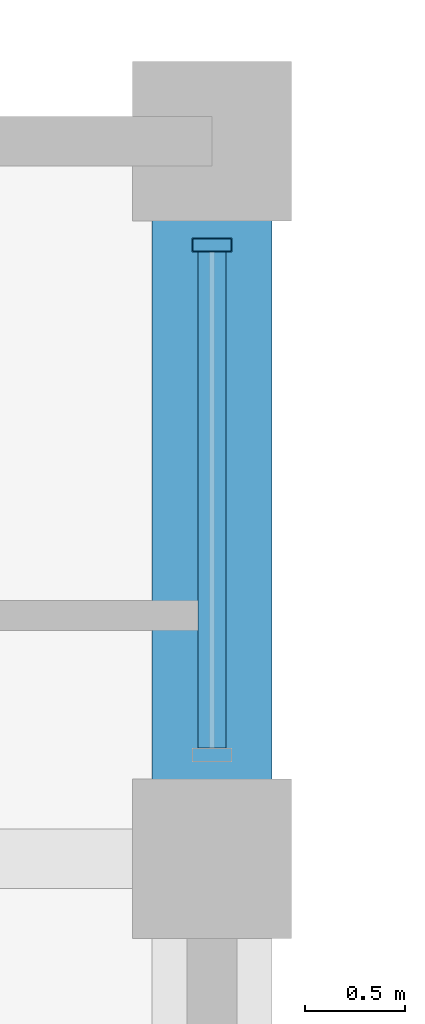
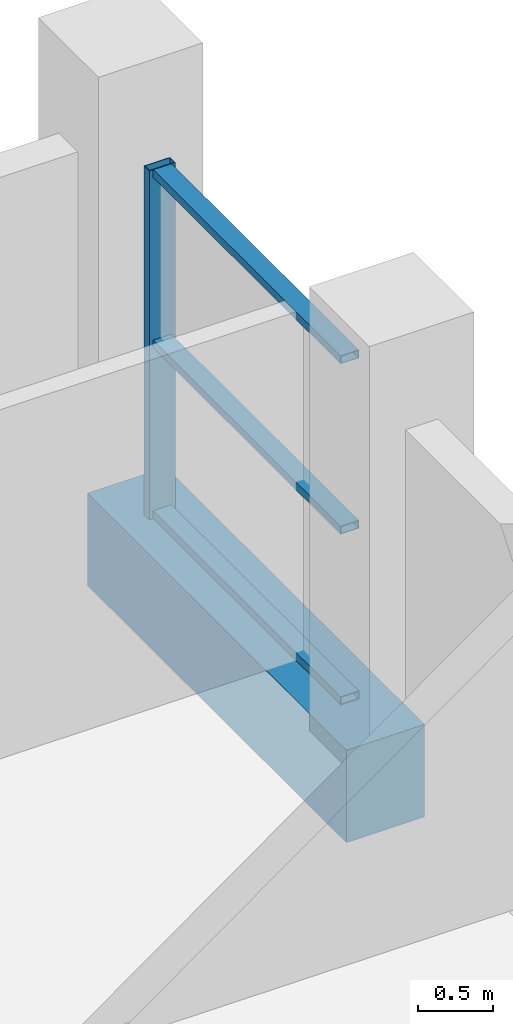
# One storey, part 10 of 17: 4 members, 1 beam, 1 element without a shape of its own.
"""IFC4 building model written with IfcOpenShell, lengths in metres."""

from ifc_helpers import new_model, si_unit, direction, frame, origin, origin_2d, place, context, subcontext, project, spatial, rectangle, hollow_rectangle, extrude, material, layer, layer_set, material_profile, profile_set, type_object, element, aggregate, save


model = new_model("IFC4")

# Units and contexts
model_context = context("Model", 3, precision=1e-05, world=origin(), true_north=direction((0.0, 1.0)))
body_context = subcontext(model_context, "Body", "Model", "MODEL_VIEW")
ifc_project = project(units=[si_unit("LENGTHUNIT", "METRE"), si_unit("AREAUNIT", "SQUARE_METRE"), si_unit("VOLUMEUNIT", "CUBIC_METRE"), si_unit("PLANEANGLEUNIT", "RADIAN"), si_unit("MASSUNIT", "GRAM", prefix="KILO")], contexts=[model_context])

# Site, building, storey
site_placement = place(None, origin())
site = spatial("IfcSite", under=ifc_project, at=site_placement, CompositionType="ELEMENT")
building_placement = place(site_placement, origin())
building = spatial("IfcBuilding", under=site, at=building_placement, Name="Solnavia Interchange Tower", CompositionType="ELEMENT")
storey_placement = place(building_placement, frame((0.0, 0.0, 291.800048828125)))
storey = spatial("IfcBuildingStorey", under=building, at=storey_placement, Name="L74", CompositionType="ELEMENT", Elevation=291.800048828125)

# Beam
ifc_material_1 = material(Name="Concrete C50/60", Category="concrete")
ifc_material_profile_1 = material_profile(ifc_material_1, rectangle(XDim=0.60009765625, YDim=0.75, at=origin_2d()), Name="RC 600x750")
ifc_profile_set_1 = profile_set([ifc_material_profile_1], Name="Concrete C50/60")
beam_type = type_object("IfcBeamType", Name="Beam-Spandrel-RC600x750", PredefinedType="SPANDREL", material=ifc_profile_set_1)
beam_placement = place(storey_placement, frame((25.199951171875, 28.8798828125, -0.375), z_axis=(0.0, 1.0, 0.0), x_axis=(-1.0, 0.0, 0.0)))
element("IfcBeam", 1, at=beam_placement, inside=storey, type_object=beam_type, Name="SPB-L74-21 Framed-tube perimeter spandrel beam", PredefinedType="SPANDREL", context=body_context, shape_type="SweptSolid", body=[
    extrude(rectangle(XDim=0.60009765625, YDim=0.75, at=origin_2d()), origin(), (0.0, 0.0, 1.0), 3.440185546875),
])

# Curtain wall, members
ifc_material_2 = material(Name="Aluminium Alloy 6063-T6", Category="aluminium")
ifc_layer = layer(ifc_material_2, 0.219970703125)
ifc_layer_set = layer_set([ifc_layer], Name="Aluminium Alloy 6063-T6")
curtain_wall_type = type_object("IfcCurtainWallType", Name="CurtainWall-Tower-CTW3", PredefinedType="NOTDEFINED", material=ifc_layer_set)
curtain_wall_placement = place(storey_placement, origin())
curtain_wall = element("IfcCurtainWall", 2, at=curtain_wall_placement, inside=storey, type_object=curtain_wall_type, Name="CTW-L74-S22 CTW-3 curtain wall", PredefinedType="NOTDEFINED")
ifc_material_profile_2 = material_profile(ifc_material_2, hollow_rectangle(XDim=0.070068359375, YDim=0.199951171875, WallThickness=0.0048828125, at=origin_2d()), Name="ALU 200x70x5")
ifc_profile_set_2 = profile_set([ifc_material_profile_2], Name="Aluminium Alloy 6063-T6")
member_type_1 = type_object("IfcMemberType", Name="CW-Mullion-CWM-3", PredefinedType="MULLION", material=ifc_profile_set_2)
member_1_placement = place(storey_placement, frame((25.199951171875, 31.8798828125, 0.0), z_axis=(0.0, 0.0, 1.0), x_axis=(0.0, 1.0, 0.0)))
member_1 = element("IfcMember", 3, at=member_1_placement, type_object=member_type_1, Name="CTW-3 mullion 2", PredefinedType="MULLION", context=body_context, shape_type="SweptSolid", body=[
    extrude(hollow_rectangle(XDim=0.070068359375, YDim=0.199951171875, WallThickness=0.0048828125, at=origin_2d()), origin(), (0.0, 0.0, 1.0), 2.829833984375),
])
ifc_material_profile_3 = material_profile(ifc_material_2, hollow_rectangle(XDim=0.06494140625, YDim=0.139892578125, WallThickness=0.00390625, at=origin_2d()), Name="ALU 140x65x4")
ifc_profile_set_3 = profile_set([ifc_material_profile_3], Name="Aluminium Alloy 6063-T6")
member_type_2 = type_object("IfcMemberType", Name="CW-Transom-CWT-3", PredefinedType="USERDEFINED", material=ifc_profile_set_3)
member_2_placement = place(storey_placement, frame((25.199951171875, 29.35498046875, 0.032470703125), z_axis=(0.0, 1.0, 0.0), x_axis=(0.0, 0.0, 1.0)))
member_2 = element("IfcMember", 4, at=member_2_placement, type_object=member_type_2, Name="CTW-3 transom 1.1", ObjectType="TRANSOM", PredefinedType="USERDEFINED", context=body_context, shape_type="SweptSolid", body=[
    extrude(hollow_rectangle(XDim=0.06494140625, YDim=0.139892578125, WallThickness=0.00390625, at=origin_2d()), origin(), (0.0, 0.0, 1.0), 2.489990234375),
])
member_3_placement = place(storey_placement, frame((25.199951171875, 29.35498046875, 1.4150390625), z_axis=(0.0, 1.0, 0.0), x_axis=(0.0, 0.0, 1.0)))
member_3 = element("IfcMember", 5, at=member_3_placement, type_object=member_type_2, Name="CTW-3 transom 1.2", ObjectType="TRANSOM", PredefinedType="USERDEFINED", context=body_context, shape_type="SweptSolid", body=[
    extrude(hollow_rectangle(XDim=0.06494140625, YDim=0.139892578125, WallThickness=0.00390625, at=origin_2d()), origin(), (0.0, 0.0, 1.0), 2.489990234375),
])
member_4_placement = place(storey_placement, frame((25.199951171875, 29.35498046875, 2.79736328125), z_axis=(0.0, 1.0, 0.0), x_axis=(0.0, 0.0, 1.0)))
member_4 = element("IfcMember", 6, at=member_4_placement, type_object=member_type_2, Name="CTW-3 transom 1.3", ObjectType="TRANSOM", PredefinedType="USERDEFINED", context=body_context, shape_type="SweptSolid", body=[
    extrude(hollow_rectangle(XDim=0.06494140625, YDim=0.139892578125, WallThickness=0.00390625, at=origin_2d()), origin(), (0.0, 0.0, 1.0), 2.489990234375),
])
aggregate(curtain_wall, [member_1, member_2, member_3, member_4])

save(model, "model.ifc")
